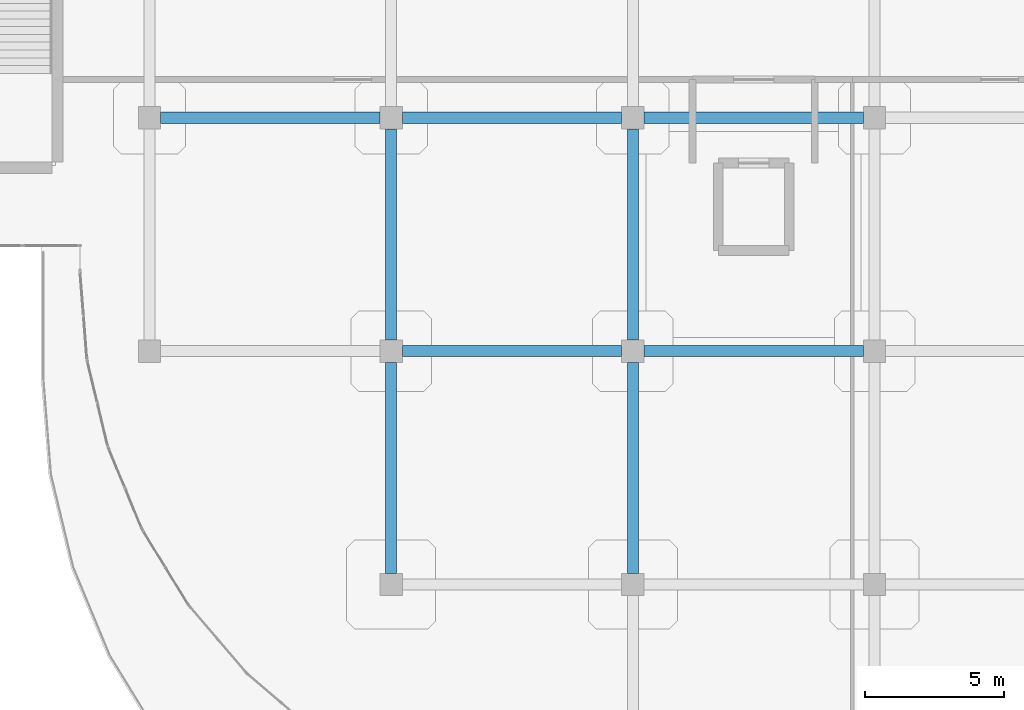
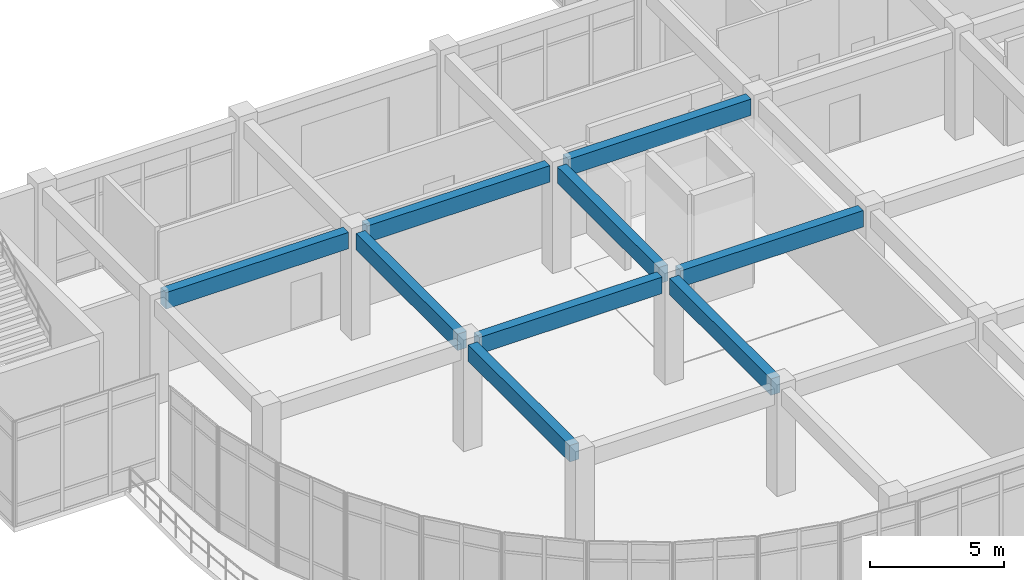
# One storey, part 12 of 96: 9 beams.
"""IFC4 building model written with IfcOpenShell, lengths in metres."""

from ifc_helpers import new_model, si_unit, derived_unit, direction, frame, origin, origin_2d, place, context, subcontext, project, spatial, rectangle, extrude, material, material_profile, profile_set, type_object, element, save


model = new_model("IFC4")

# Units and contexts
model_context = context("Model", 3, precision=1e-05, world=origin(), true_north=direction((0.0, 1.0)))
body_context = subcontext(model_context, "Body", "Model", "MODEL_VIEW")
ifc_project = project(units=[si_unit("LENGTHUNIT", "METRE"), si_unit("AREAUNIT", "SQUARE_METRE"), si_unit("VOLUMEUNIT", "CUBIC_METRE"), si_unit("PLANEANGLEUNIT", "RADIAN"), si_unit("MASSUNIT", "GRAM", prefix="KILO"), derived_unit("THERMALTRANSMITTANCEUNIT", [(si_unit("MASSUNIT", "GRAM", prefix="KILO"), 1), (si_unit("TIMEUNIT", "SECOND"), -3), (si_unit("THERMODYNAMICTEMPERATUREUNIT", "KELVIN"), -1)])], contexts=[model_context])

# Site, building, storey
site_placement = place(None, origin())
site = spatial("IfcSite", under=ifc_project, at=site_placement, CompositionType="ELEMENT")
building_placement = place(site_placement, origin())
building = spatial("IfcBuilding", under=site, at=building_placement, Name="Qinzheling Arcade Emporium", CompositionType="ELEMENT")
storey_placement = place(building_placement, frame((0.0, 0.0, 21.60009765625)))
storey = spatial("IfcBuildingStorey", under=building, at=storey_placement, Name="L05", CompositionType="ELEMENT", Elevation=21.60009765625)

# Beams
ifc_material = material(Name="Concrete C40", Category="concrete")
ifc_material_profile = material_profile(ifc_material, rectangle(XDim=0.39990234375, YDim=0.75, at=origin_2d()), Name="RC 400x750", Category="concrete")
ifc_profile_set = profile_set([ifc_material_profile], Name="Concrete C40")
beam_type = type_object("IfcBeamType", Name="RC Interior Tie Beam 400x750 C40", PredefinedType="BEAM", material=ifc_profile_set)
for number, where, z_axis, x_axis, name in (
    (1, (17.800048828125, 25.199951171875, 4.44482421875), (1.0, 0.0, 0.0), (0.0, 1.0, 0.0), "Beam BM-L05-X-D-3"),
    (2, (26.5, 25.199951171875, 4.44482421875), (1.0, 0.0, 0.0), (0.0, 1.0, 0.0), "Beam BM-L05-X-D-4"),
    (3, (9.10009765625, 33.60009765625, 4.44482421875), (1.0, 0.0, 0.0), (0.0, 1.0, 0.0), "Beam BM-L05-X-E-2"),
    (4, (17.800048828125, 33.60009765625, 4.44482421875), (1.0, 0.0, 0.0), (0.0, 1.0, 0.0), "Beam BM-L05-X-E-3"),
    (5, (26.5, 33.60009765625, 4.44482421875), (1.0, 0.0, 0.0), (0.0, 1.0, 0.0), "Beam BM-L05-X-E-4"),
):
    element("IfcBeam", number, at=place(storey_placement, frame(where, z_axis=z_axis, x_axis=x_axis)), inside=storey, type_object=beam_type, Name=name, PredefinedType="BEAM", context=body_context, shape_type="SweptSolid", body=[
        extrude(rectangle(XDim=0.39990234375, YDim=0.75, at=origin_2d()), origin(), (0.0, 0.0, 1.0), 7.89990234375),
    ])
beam_1_placement = place(storey_placement, frame((17.39990234375, 17.199951171875, 4.44482421875), z_axis=(0.0, 1.0, 0.0), x_axis=(-1.0, 0.0, 0.0)))
element("IfcBeam", 6, at=beam_1_placement, inside=storey, type_object=beam_type, Name="Beam BM-L05-Y-3-C", PredefinedType="BEAM", context=body_context, shape_type="SweptSolid", body=[
    extrude(rectangle(XDim=0.39990234375, YDim=0.75, at=origin_2d()), origin(), (0.0, 0.0, 1.0), 7.60009765625),
])
beam_2_placement = place(storey_placement, frame((17.39990234375, 25.60009765625, 4.44482421875), z_axis=(0.0, 1.0, 0.0), x_axis=(-1.0, 0.0, 0.0)))
element("IfcBeam", 7, at=beam_2_placement, inside=storey, type_object=beam_type, Name="Beam BM-L05-Y-3-D", PredefinedType="BEAM", context=body_context, shape_type="SweptSolid", body=[
    extrude(rectangle(XDim=0.39990234375, YDim=0.75, at=origin_2d()), origin(), (0.0, 0.0, 1.0), 7.599853515625),
])
beam_3_placement = place(storey_placement, frame((26.10009765625, 17.199951171875, 4.44482421875), z_axis=(0.0, 1.0, 0.0), x_axis=(-1.0, 0.0, 0.0)))
element("IfcBeam", 8, at=beam_3_placement, inside=storey, type_object=beam_type, Name="Beam BM-L05-Y-4-C", PredefinedType="BEAM", context=body_context, shape_type="SweptSolid", body=[
    extrude(rectangle(XDim=0.39990234375, YDim=0.75, at=origin_2d()), origin(), (0.0, 0.0, 1.0), 7.60009765625),
])
beam_4_placement = place(storey_placement, frame((26.10009765625, 25.60009765625, 4.44482421875), z_axis=(0.0, 1.0, 0.0), x_axis=(-1.0, 0.0, 0.0)))
element("IfcBeam", 9, at=beam_4_placement, inside=storey, type_object=beam_type, Name="Beam BM-L05-Y-4-D", PredefinedType="BEAM", context=body_context, shape_type="SweptSolid", body=[
    extrude(rectangle(XDim=0.39990234375, YDim=0.75, at=origin_2d()), origin(), (0.0, 0.0, 1.0), 7.599853515625),
])

save(model, "model.ifc")
